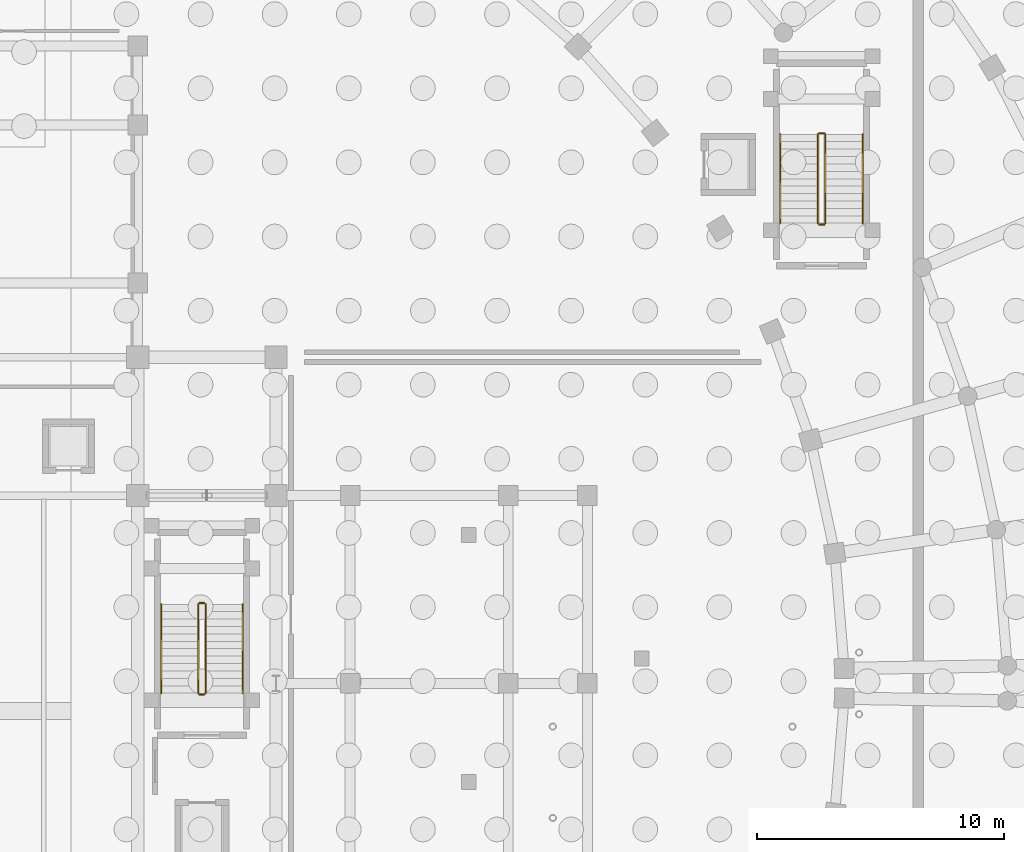
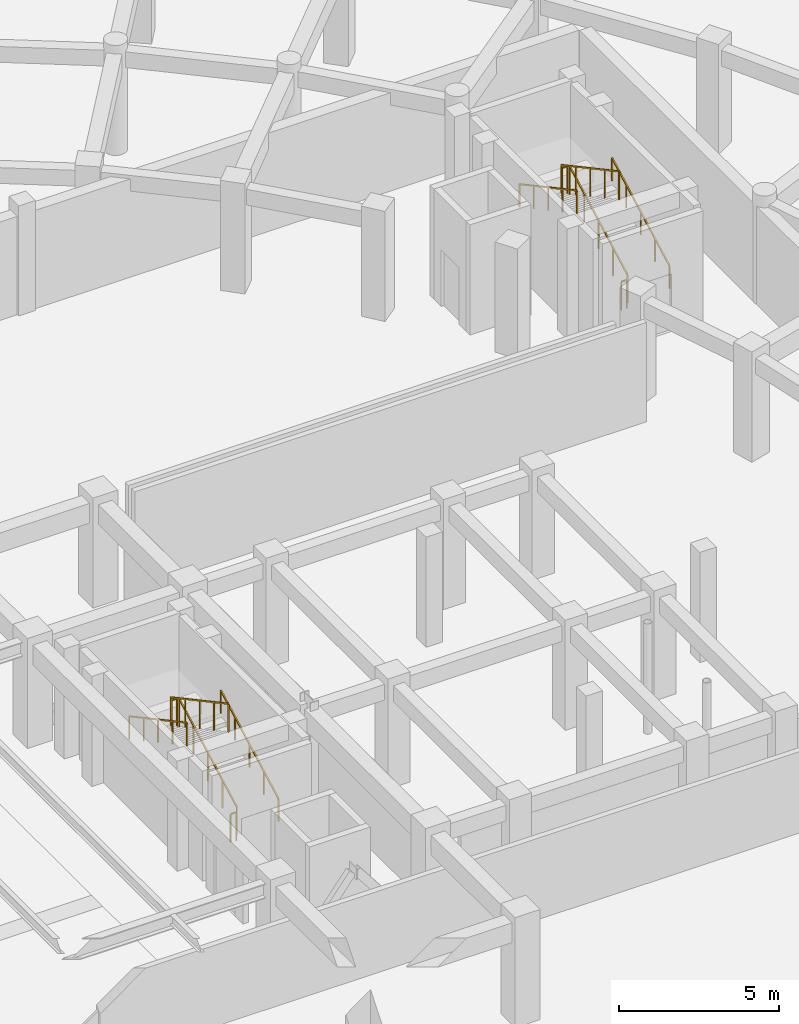
# One storey, part 32 of 33: 12 railings.
"""IFC4 building model written with IfcOpenShell, lengths in metres."""

from ifc_helpers import new_model, si_unit, direction, frame, origin, origin_2d, place, context, subcontext, project, spatial, rectangle, extrude, material, layer, layer_set, type_object, element, save


model = new_model("IFC4")

# Units and contexts
model_context = context("Model", 3, precision=1e-05, world=origin(), true_north=direction((0.0, 1.0)))
body_context = subcontext(model_context, "Body", "Model", "MODEL_VIEW")
ifc_project = project(units=[si_unit("LENGTHUNIT", "METRE"), si_unit("AREAUNIT", "SQUARE_METRE"), si_unit("VOLUMEUNIT", "CUBIC_METRE"), si_unit("PLANEANGLEUNIT", "RADIAN"), si_unit("MASSUNIT", "GRAM", prefix="KILO")], contexts=[model_context])

# Site, building, storey
site_placement = place(None, origin())
site = spatial("IfcSite", under=ifc_project, at=site_placement, CompositionType="ELEMENT")
building_placement = place(site_placement, origin())
building = spatial("IfcBuilding", under=site, at=building_placement, Name="Saryqyr Civic Hall", CompositionType="ELEMENT")
storey_placement = place(building_placement, frame((0.0, 0.0, -4.199951171875)))
storey = spatial("IfcBuildingStorey", under=building, at=storey_placement, Name="B1", CompositionType="ELEMENT", Elevation=-4.199951171875)

# Railings
ifc_material_1 = material(Name="Warm brushed brass and laminated glass", Category="glass")
ifc_layer_1 = layer(ifc_material_1, 0.06005859375, Name="Warm brushed brass and laminated glass")
ifc_layer_set_1 = layer_set([ifc_layer_1], Name="Warm brushed brass and laminated glass")
railing_type_1 = type_object("IfcRailingType", Name="INT-RLG-BAL-1100", PredefinedType="BALUSTRADE", material=ifc_layer_set_1)
railing_1_placement = place(storey_placement, frame((67.35009765625, 83.60009765625, 0.161376953125)))
element("IfcRailing", 1, at=railing_1_placement, inside=storey, type_object=railing_type_1, Name="B1 ST-2 stair guard 1", PredefinedType="BALUSTRADE", context=body_context, shape_type="SweptSolid", body=[
    extrude(rectangle(XDim=0.048095703125, YDim=0.048095703125, at=origin_2d()), frame((0.0, 0.0, 1.076171875), z_axis=(0.0, 0.880461512865, 0.474117627138), x_axis=(-1.0, 0.0, 0.0)), (0.0, 0.0, 1.0), 4.088623046875),
    extrude(rectangle(XDim=0.0419921875, YDim=0.0419921875, at=origin_2d()), origin(), (0.0, 0.0, 1.0), 1.052001953125),
    extrude(rectangle(XDim=0.0419921875, YDim=0.0419921875, at=origin_2d()), frame((0.0, 0.89990234375, 0.484619140625)), (0.0, 0.0, 1.0), 1.052001953125),
    extrude(rectangle(XDim=0.0419921875, YDim=0.0419921875, at=origin_2d()), frame((0.0, 1.7998046875, 0.96923828125)), (0.0, 0.0, 1.0), 1.052001953125),
    extrude(rectangle(XDim=0.0419921875, YDim=0.0419921875, at=origin_2d()), frame((0.0, 2.699951171875, 1.453857421875)), (0.0, 0.0, 1.0), 1.052001953125),
    extrude(rectangle(XDim=0.0419921875, YDim=0.0419921875, at=origin_2d()), frame((0.0, 3.599853515625, 1.9384765625)), (0.0, 0.0, 1.0), 1.052001953125),
])
railing_2_placement = place(storey_placement, frame((67.300048828125, 87.25, 2.099853515625)))
element("IfcRailing", 2, at=railing_2_placement, inside=storey, type_object=railing_type_1, Name="B1 ST-2 stair guard 2", PredefinedType="BALUSTRADE", context=body_context, shape_type="SweptSolid", body=[
    extrude(rectangle(XDim=0.048095703125, YDim=0.048095703125, at=origin_2d()), frame((0.0, 0.0, 1.076171875), z_axis=(-1.0, 0.0, 0.0), x_axis=(0.0, -1.0, 0.0)), (0.0, 0.0, 1.0), 0.199951171875),
    extrude(rectangle(XDim=0.0419921875, YDim=0.0419921875, at=origin_2d()), origin(), (0.0, 0.0, 1.0), 1.052001953125),
    extrude(rectangle(XDim=0.0419921875, YDim=0.0419921875, at=origin_2d()), frame((-0.199951171875, 0.0, 0.0)), (0.0, 0.0, 1.0), 1.052001953125),
])
railing_3_placement = place(storey_placement, frame((67.050048828125, 87.199951171875, 2.261474609375)))
element("IfcRailing", 3, at=railing_3_placement, inside=storey, type_object=railing_type_1, Name="B1 ST-2 stair guard 3", PredefinedType="BALUSTRADE", context=body_context, shape_type="SweptSolid", body=[
    extrude(rectangle(XDim=0.048095703125, YDim=0.048095703125, at=origin_2d()), frame((0.0, 0.0, 1.076171875), z_axis=(0.0, -0.880461512865, 0.474117627138), x_axis=(1.0, 0.0, 0.0)), (0.0, 0.0, 1.0), 4.088623046875),
    extrude(rectangle(XDim=0.0419921875, YDim=0.0419921875, at=origin_2d()), origin(), (0.0, 0.0, 1.0), 1.052001953125),
    extrude(rectangle(XDim=0.0419921875, YDim=0.0419921875, at=origin_2d()), frame((0.0, -0.89990234375, 0.484619140625)), (0.0, 0.0, 1.0), 1.052001953125),
    extrude(rectangle(XDim=0.0419921875, YDim=0.0419921875, at=origin_2d()), frame((0.0, -1.7998046875, 0.96923828125)), (0.0, 0.0, 1.0), 1.052001953125),
    extrude(rectangle(XDim=0.0419921875, YDim=0.0419921875, at=origin_2d()), frame((0.0, -2.699951171875, 1.453857421875)), (0.0, 0.0, 1.0), 1.052001953125),
    extrude(rectangle(XDim=0.0419921875, YDim=0.0419921875, at=origin_2d()), frame((0.0, -3.599853515625, 1.9384765625)), (0.0, 0.0, 1.0), 1.052001953125),
])
railing_4_placement = place(storey_placement, frame((67.300048828125, 83.550048828125, 0.0)))
element("IfcRailing", 4, at=railing_4_placement, inside=storey, type_object=railing_type_1, Name="B1 ST-2 stair guard 4", PredefinedType="BALUSTRADE", context=body_context, shape_type="SweptSolid", body=[
    extrude(rectangle(XDim=0.048095703125, YDim=0.048095703125, at=origin_2d()), frame((0.0, 0.0, 1.076171875), z_axis=(-1.0, 0.0, 0.0), x_axis=(0.0, -1.0, 0.0)), (0.0, 0.0, 1.0), 0.199951171875),
    extrude(rectangle(XDim=0.0419921875, YDim=0.0419921875, at=origin_2d()), origin(), (0.0, 0.0, 1.0), 1.052001953125),
    extrude(rectangle(XDim=0.0419921875, YDim=0.0419921875, at=origin_2d()), frame((-0.199951171875, 0.0, 0.0)), (0.0, 0.0, 1.0), 1.052001953125),
])
railing_5_placement = place(storey_placement, frame((92.429931640625, 102.6201171875, 0.161376953125)))
element("IfcRailing", 5, at=railing_5_placement, inside=storey, type_object=railing_type_1, Name="B1 ST-6 stair guard 1", PredefinedType="BALUSTRADE", context=body_context, shape_type="SweptSolid", body=[
    extrude(rectangle(XDim=0.048095703125, YDim=0.048095703125, at=origin_2d()), frame((0.0, 0.0, 1.076171875), z_axis=(0.0, 0.880461512865, 0.474117627138), x_axis=(-1.0, 0.0, 0.0)), (0.0, 0.0, 1.0), 4.088623046875),
    extrude(rectangle(XDim=0.0419921875, YDim=0.0419921875, at=origin_2d()), origin(), (0.0, 0.0, 1.0), 1.052001953125),
    extrude(rectangle(XDim=0.0419921875, YDim=0.0419921875, at=origin_2d()), frame((0.0, 0.89990234375, 0.484619140625)), (0.0, 0.0, 1.0), 1.052001953125),
    extrude(rectangle(XDim=0.0419921875, YDim=0.0419921875, at=origin_2d()), frame((0.0, 1.7998046875, 0.96923828125)), (0.0, 0.0, 1.0), 1.052001953125),
    extrude(rectangle(XDim=0.0419921875, YDim=0.0419921875, at=origin_2d()), frame((0.0, 2.699951171875, 1.453857421875)), (0.0, 0.0, 1.0), 1.052001953125),
    extrude(rectangle(XDim=0.0419921875, YDim=0.0419921875, at=origin_2d()), frame((0.0, 3.599853515625, 1.9384765625)), (0.0, 0.0, 1.0), 1.052001953125),
])
railing_6_placement = place(storey_placement, frame((92.3798828125, 106.27001953125, 2.099853515625)))
element("IfcRailing", 6, at=railing_6_placement, inside=storey, type_object=railing_type_1, Name="B1 ST-6 stair guard 2", PredefinedType="BALUSTRADE", context=body_context, shape_type="SweptSolid", body=[
    extrude(rectangle(XDim=0.048095703125, YDim=0.048095703125, at=origin_2d()), frame((0.0, 0.0, 1.076171875), z_axis=(-1.0, 0.0, 0.0), x_axis=(0.0, -1.0, 0.0)), (0.0, 0.0, 1.0), 0.199951171875),
    extrude(rectangle(XDim=0.0419921875, YDim=0.0419921875, at=origin_2d()), origin(), (0.0, 0.0, 1.0), 1.052001953125),
    extrude(rectangle(XDim=0.0419921875, YDim=0.0419921875, at=origin_2d()), frame((-0.199951171875, 0.0, 0.0)), (0.0, 0.0, 1.0), 1.052001953125),
])
railing_7_placement = place(storey_placement, frame((92.1298828125, 106.219970703125, 2.261474609375)))
element("IfcRailing", 7, at=railing_7_placement, inside=storey, type_object=railing_type_1, Name="B1 ST-6 stair guard 3", PredefinedType="BALUSTRADE", context=body_context, shape_type="SweptSolid", body=[
    extrude(rectangle(XDim=0.048095703125, YDim=0.048095703125, at=origin_2d()), frame((0.0, 0.0, 1.076171875), z_axis=(0.0, -0.880461512865, 0.474117627138), x_axis=(1.0, 0.0, 0.0)), (0.0, 0.0, 1.0), 4.088623046875),
    extrude(rectangle(XDim=0.0419921875, YDim=0.0419921875, at=origin_2d()), origin(), (0.0, 0.0, 1.0), 1.052001953125),
    extrude(rectangle(XDim=0.0419921875, YDim=0.0419921875, at=origin_2d()), frame((0.0, -0.89990234375, 0.484619140625)), (0.0, 0.0, 1.0), 1.052001953125),
    extrude(rectangle(XDim=0.0419921875, YDim=0.0419921875, at=origin_2d()), frame((0.0, -1.7998046875, 0.96923828125)), (0.0, 0.0, 1.0), 1.052001953125),
    extrude(rectangle(XDim=0.0419921875, YDim=0.0419921875, at=origin_2d()), frame((0.0, -2.699951171875, 1.453857421875)), (0.0, 0.0, 1.0), 1.052001953125),
    extrude(rectangle(XDim=0.0419921875, YDim=0.0419921875, at=origin_2d()), frame((0.0, -3.599853515625, 1.9384765625)), (0.0, 0.0, 1.0), 1.052001953125),
])
railing_8_placement = place(storey_placement, frame((92.3798828125, 102.570068359375, 0.0)))
element("IfcRailing", 8, at=railing_8_placement, inside=storey, type_object=railing_type_1, Name="B1 ST-6 stair guard 4", PredefinedType="BALUSTRADE", context=body_context, shape_type="SweptSolid", body=[
    extrude(rectangle(XDim=0.048095703125, YDim=0.048095703125, at=origin_2d()), frame((0.0, 0.0, 1.076171875), z_axis=(-1.0, 0.0, 0.0), x_axis=(0.0, -1.0, 0.0)), (0.0, 0.0, 1.0), 0.199951171875),
    extrude(rectangle(XDim=0.0419921875, YDim=0.0419921875, at=origin_2d()), origin(), (0.0, 0.0, 1.0), 1.052001953125),
    extrude(rectangle(XDim=0.0419921875, YDim=0.0419921875, at=origin_2d()), frame((-0.199951171875, 0.0, 0.0)), (0.0, 0.0, 1.0), 1.052001953125),
])
ifc_material_2 = material(Name="Stainless steel", Category="steel")
ifc_layer_2 = layer(ifc_material_2, 0.050048828125, Name="Stainless steel")
ifc_layer_set_2 = layer_set([ifc_layer_2], Name="Stainless steel")
railing_type_2 = type_object("IfcRailingType", Name="INT-RLG-HND-900", PredefinedType="HANDRAIL", material=ifc_layer_set_2)
railing_9_placement = place(storey_placement, frame((68.85009765625, 83.60009765625, 0.161376953125)))
element("IfcRailing", 9, at=railing_9_placement, inside=storey, type_object=railing_type_2, Name="B1 ST-2 stair handrail 1", PredefinedType="HANDRAIL", context=body_context, shape_type="SweptSolid", body=[
    extrude(rectangle(XDim=0.048095703125, YDim=0.048095703125, at=origin_2d()), frame((0.0, 0.0, 0.8759765625), z_axis=(0.0, 0.880461512865, 0.474117627138), x_axis=(-1.0, 0.0, 0.0)), (0.0, 0.0, 1.0), 4.088623046875),
    extrude(rectangle(XDim=0.0419921875, YDim=0.0419921875, at=origin_2d()), origin(), (0.0, 0.0, 1.0), 0.851806640625),
    extrude(rectangle(XDim=0.0419921875, YDim=0.0419921875, at=origin_2d()), frame((0.0, 0.89990234375, 0.484619140625)), (0.0, 0.0, 1.0), 0.851806640625),
    extrude(rectangle(XDim=0.0419921875, YDim=0.0419921875, at=origin_2d()), frame((0.0, 1.7998046875, 0.96923828125)), (0.0, 0.0, 1.0), 0.851806640625),
    extrude(rectangle(XDim=0.0419921875, YDim=0.0419921875, at=origin_2d()), frame((0.0, 2.699951171875, 1.453857421875)), (0.0, 0.0, 1.0), 0.851806640625),
    extrude(rectangle(XDim=0.0419921875, YDim=0.0419921875, at=origin_2d()), frame((0.0, 3.599853515625, 1.9384765625)), (0.0, 0.0, 1.0), 0.851806640625),
])
railing_10_placement = place(storey_placement, frame((65.550048828125, 87.199951171875, 2.261474609375)))
element("IfcRailing", 10, at=railing_10_placement, inside=storey, type_object=railing_type_2, Name="B1 ST-2 stair handrail 2", PredefinedType="HANDRAIL", context=body_context, shape_type="SweptSolid", body=[
    extrude(rectangle(XDim=0.048095703125, YDim=0.048095703125, at=origin_2d()), frame((0.0, 0.0, 0.8759765625), z_axis=(0.0, -0.880461512865, 0.474117627138), x_axis=(1.0, 0.0, 0.0)), (0.0, 0.0, 1.0), 4.088623046875),
    extrude(rectangle(XDim=0.0419921875, YDim=0.0419921875, at=origin_2d()), origin(), (0.0, 0.0, 1.0), 0.851806640625),
    extrude(rectangle(XDim=0.0419921875, YDim=0.0419921875, at=origin_2d()), frame((0.0, -0.89990234375, 0.484619140625)), (0.0, 0.0, 1.0), 0.851806640625),
    extrude(rectangle(XDim=0.0419921875, YDim=0.0419921875, at=origin_2d()), frame((0.0, -1.7998046875, 0.96923828125)), (0.0, 0.0, 1.0), 0.851806640625),
    extrude(rectangle(XDim=0.0419921875, YDim=0.0419921875, at=origin_2d()), frame((0.0, -2.699951171875, 1.453857421875)), (0.0, 0.0, 1.0), 0.851806640625),
    extrude(rectangle(XDim=0.0419921875, YDim=0.0419921875, at=origin_2d()), frame((0.0, -3.599853515625, 1.9384765625)), (0.0, 0.0, 1.0), 0.851806640625),
])
railing_11_placement = place(storey_placement, frame((93.949951171875, 102.6201171875, 0.161376953125)))
element("IfcRailing", 11, at=railing_11_placement, inside=storey, type_object=railing_type_2, Name="B1 ST-6 stair handrail 1", PredefinedType="HANDRAIL", context=body_context, shape_type="SweptSolid", body=[
    extrude(rectangle(XDim=0.048095703125, YDim=0.048095703125, at=origin_2d()), frame((0.0, 0.0, 0.8759765625), z_axis=(0.0, 0.880461512865, 0.474117627138), x_axis=(-1.0, 0.0, 0.0)), (0.0, 0.0, 1.0), 4.088623046875),
    extrude(rectangle(XDim=0.0419921875, YDim=0.0419921875, at=origin_2d()), origin(), (0.0, 0.0, 1.0), 0.851806640625),
    extrude(rectangle(XDim=0.0419921875, YDim=0.0419921875, at=origin_2d()), frame((0.0, 0.89990234375, 0.484619140625)), (0.0, 0.0, 1.0), 0.851806640625),
    extrude(rectangle(XDim=0.0419921875, YDim=0.0419921875, at=origin_2d()), frame((0.0, 1.7998046875, 0.96923828125)), (0.0, 0.0, 1.0), 0.851806640625),
    extrude(rectangle(XDim=0.0419921875, YDim=0.0419921875, at=origin_2d()), frame((0.0, 2.699951171875, 1.453857421875)), (0.0, 0.0, 1.0), 0.851806640625),
    extrude(rectangle(XDim=0.0419921875, YDim=0.0419921875, at=origin_2d()), frame((0.0, 3.599853515625, 1.9384765625)), (0.0, 0.0, 1.0), 0.851806640625),
])
railing_12_placement = place(storey_placement, frame((90.610107421875, 106.219970703125, 2.261474609375)))
element("IfcRailing", 12, at=railing_12_placement, inside=storey, type_object=railing_type_2, Name="B1 ST-6 stair handrail 2", PredefinedType="HANDRAIL", context=body_context, shape_type="SweptSolid", body=[
    extrude(rectangle(XDim=0.048095703125, YDim=0.048095703125, at=origin_2d()), frame((0.0, 0.0, 0.8759765625), z_axis=(0.0, -0.880461512865, 0.474117627138), x_axis=(1.0, 0.0, 0.0)), (0.0, 0.0, 1.0), 4.088623046875),
    extrude(rectangle(XDim=0.0419921875, YDim=0.0419921875, at=origin_2d()), origin(), (0.0, 0.0, 1.0), 0.851806640625),
    extrude(rectangle(XDim=0.0419921875, YDim=0.0419921875, at=origin_2d()), frame((0.0, -0.89990234375, 0.484619140625)), (0.0, 0.0, 1.0), 0.851806640625),
    extrude(rectangle(XDim=0.0419921875, YDim=0.0419921875, at=origin_2d()), frame((0.0, -1.7998046875, 0.96923828125)), (0.0, 0.0, 1.0), 0.851806640625),
    extrude(rectangle(XDim=0.0419921875, YDim=0.0419921875, at=origin_2d()), frame((0.0, -2.699951171875, 1.453857421875)), (0.0, 0.0, 1.0), 0.851806640625),
    extrude(rectangle(XDim=0.0419921875, YDim=0.0419921875, at=origin_2d()), frame((0.0, -3.599853515625, 1.9384765625)), (0.0, 0.0, 1.0), 0.851806640625),
])

save(model, "model.ifc")
